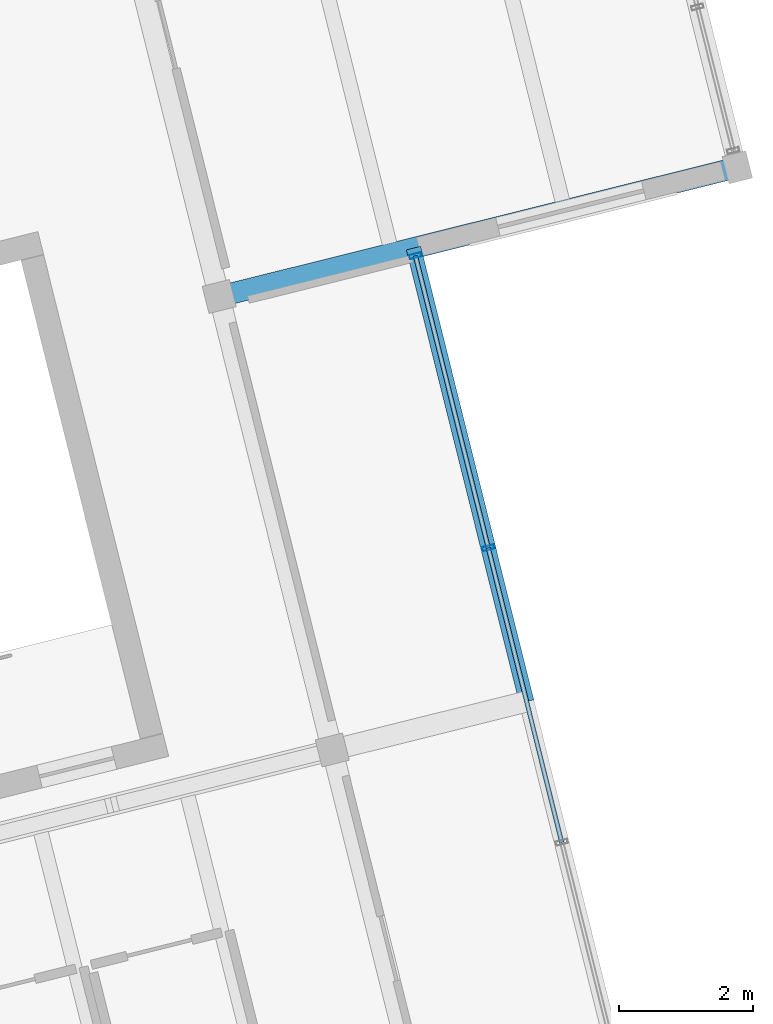
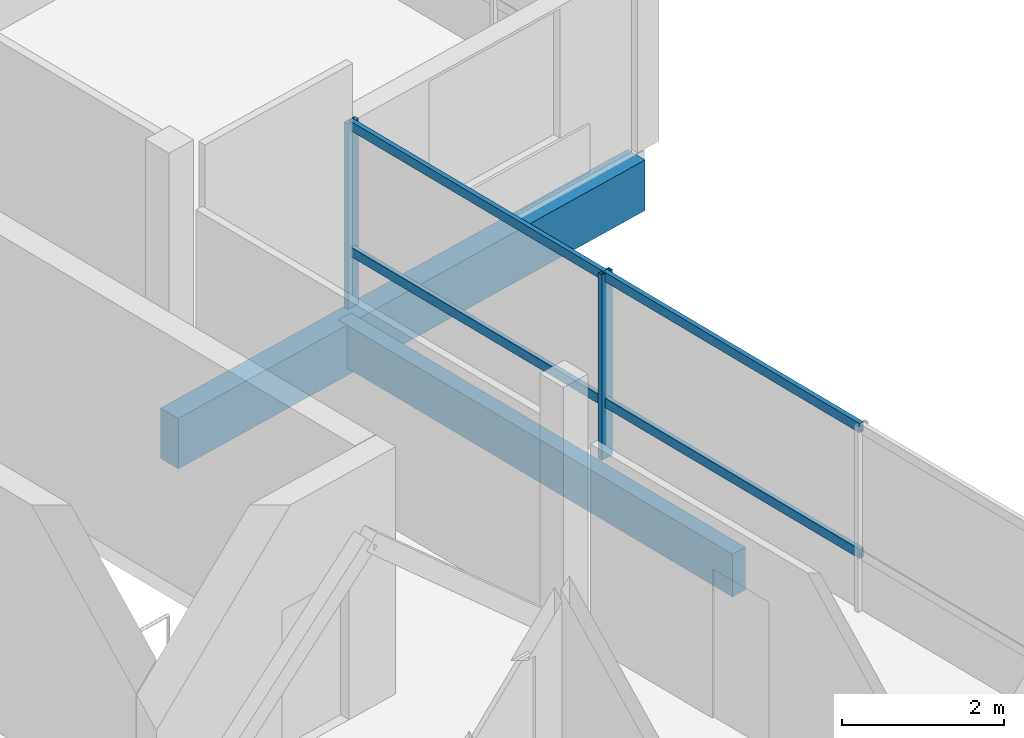
# One storey, part 14 of 28: 6 members, 2 beams, 1 element without a shape of its own.
"""IFC4 building model written with IfcOpenShell, lengths in metres."""

from ifc_helpers import new_model, si_unit, direction, frame, origin, origin_2d, place, context, subcontext, project, spatial, rectangle, hollow_rectangle, extrude, material, layer, layer_set, material_profile, profile_set, type_object, element, aggregate, save


model = new_model("IFC4")

# Units and contexts
model_context = context("Model", 3, precision=1e-05, world=origin(), true_north=direction((0.0, 1.0)))
body_context = subcontext(model_context, "Body", "Model", "MODEL_VIEW")
ifc_project = project(units=[si_unit("LENGTHUNIT", "METRE"), si_unit("AREAUNIT", "SQUARE_METRE"), si_unit("VOLUMEUNIT", "CUBIC_METRE"), si_unit("PLANEANGLEUNIT", "RADIAN"), si_unit("MASSUNIT", "GRAM", prefix="KILO")], contexts=[model_context])

# Site, building, storey
site_placement = place(None, origin())
site = spatial("IfcSite", under=ifc_project, at=site_placement, CompositionType="ELEMENT")
building_placement = place(site_placement, origin())
building = spatial("IfcBuilding", under=site, at=building_placement, Name="Meriwether Solvik Hall", CompositionType="ELEMENT")
storey_placement = place(building_placement, frame((0.0, 0.0, 30.0)))
storey = spatial("IfcBuildingStorey", under=building, at=storey_placement, Name="L07", CompositionType="ELEMENT", Elevation=30.0)

# Beams
ifc_material_1 = material(Name="Glulam Douglas-Fir 24F-V8 GL28h", Category="wood")
ifc_material_profile_1 = material_profile(ifc_material_1, rectangle(XDim=0.221923828125, YDim=0.64501953125, at=origin_2d()), Name="GLB-222X645")
ifc_profile_set_1 = profile_set([ifc_material_profile_1], Name="Glulam Douglas-Fir 24F-V8 GL28h")
beam_type_1 = type_object("IfcBeamType", Name="BM-GL-222X645", PredefinedType="SPANDREL", material=ifc_profile_set_1)
beam_1_placement = place(storey_placement, frame((104.79638671875, 57.23291015625, -0.54248046875), z_axis=(-0.241903692719, 0.970300264582, 0.0), x_axis=(-0.970300264582, -0.241903692719, 0.0)))
element("IfcBeam", 1, at=beam_1_placement, inside=storey, type_object=beam_type_1, Name="Shard Edge Spandrel 2 (L07)", PredefinedType="SPANDREL", context=body_context, shape_type="SweptSolid", body=[
    extrude(rectangle(XDim=0.221923828125, YDim=0.64501953125, at=origin_2d()), origin(), (0.0, 0.0, 1.0), 7.000244140625),
])
ifc_material_2 = material(Name="Glulam Douglas-Fir 24F-V8 GL28h", Category="wood")
ifc_material_profile_2 = material_profile(ifc_material_2, rectangle(XDim=0.31494140625, YDim=0.760009765625, at=origin_2d()), Name="GLB-315X760")
ifc_profile_set_2 = profile_set([ifc_material_profile_2], Name="Glulam Douglas-Fir 24F-V8 GL28h")
beam_type_2 = type_object("IfcBeamType", Name="BM-GL-315X760", PredefinedType="BEAM", material=ifc_profile_set_2)
beam_2_placement = place(storey_placement, frame((100.192138671875, 63.29931640625, -0.60009765625), z_axis=(0.970298475929, 0.241910867076, 0.0), x_axis=(-0.241910867076, 0.970298475929, 0.0)))
element("IfcBeam", 2, at=beam_2_placement, inside=storey, type_object=beam_type_2, Name="Tower Girder TC:T6-T7 (L07)", PredefinedType="BEAM", context=body_context, shape_type="SweptSolid", body=[
    extrude(rectangle(XDim=0.31494140625, YDim=0.760009765625, at=origin_2d()), origin(), (0.0, 0.0, 1.0), 8.0),
])

# Curtain wall, members
ifc_material_3 = material(Name="Thermally Broken Anodised Aluminium 6063-T6 and Low-E Glass", Category="aluminium")
ifc_layer = layer(ifc_material_3, 0.179931640625)
ifc_layer_set = layer_set([ifc_layer], Name="Thermally Broken Anodised Aluminium 6063-T6 and Low-E Glass")
curtain_wall_type = type_object("IfcCurtainWallType", Name="CW-UNIT-F", PredefinedType="USERDEFINED", material=ifc_layer_set)
curtain_wall_placement = place(storey_placement, origin())
curtain_wall = element("IfcCurtainWall", 3, at=curtain_wall_placement, inside=storey, type_object=curtain_wall_type, Name="Curtain Wall E1_B0 (L07)", ObjectType="UNITISED CURTAIN WALL", PredefinedType="USERDEFINED")
ifc_material_4 = material(Name="Anodised Aluminium 6063-T6", Category="aluminium")
ifc_material_profile_3 = material_profile(ifc_material_4, hollow_rectangle(XDim=0.06494140625, YDim=0.179931640625, WallThickness=0.00439453125, at=origin_2d()), Name="CWM-65X180")
ifc_profile_set_3 = profile_set([ifc_material_profile_3], Name="Anodised Aluminium 6063-T6")
member_type_1 = type_object("IfcMemberType", Name="CW-MUL-65X180", PredefinedType="MULLION", material=ifc_profile_set_3)
member_1_placement = place(storey_placement, frame((103.131591796875, 63.91064453125, 0.0), z_axis=(0.0, 0.0, 1.0), x_axis=(0.241921931502, -0.970295717325, 0.0)))
member_1 = element("IfcMember", 4, at=member_1_placement, type_object=member_type_1, Name="Curtain Wall Mullion 1", PredefinedType="MULLION", context=body_context, shape_type="SweptSolid", body=[
    extrude(hollow_rectangle(XDim=0.06494140625, YDim=0.179931640625, WallThickness=0.00439453125, at=origin_2d()), origin(), (0.0, 0.0, 1.0), 2.7900390625),
])
member_2_placement = place(storey_placement, frame((104.222412109375, 59.535888671875, 0.0), z_axis=(0.0, 0.0, 1.0), x_axis=(0.241921931502, -0.970295717325, 0.0)))
member_2 = element("IfcMember", 5, at=member_2_placement, type_object=member_type_1, Name="Curtain Wall Mullion 2", PredefinedType="MULLION", context=body_context, shape_type="SweptSolid", body=[
    extrude(hollow_rectangle(XDim=0.06494140625, YDim=0.179931640625, WallThickness=0.00439453125, at=origin_2d()), origin(), (0.0, 0.0, 1.0), 2.7900390625),
])
ifc_material_5 = material(Name="Anodised Aluminium 6063-T6", Category="aluminium")
ifc_material_profile_4 = material_profile(ifc_material_5, hollow_rectangle(XDim=0.06494140625, YDim=0.139892578125, WallThickness=0.00439453125, at=origin_2d()), Name="CWT-65X140")
ifc_profile_set_4 = profile_set([ifc_material_profile_4], Name="Anodised Aluminium 6063-T6")
member_type_2 = type_object("IfcMemberType", Name="CW-TRN-65X140", PredefinedType="USERDEFINED", material=ifc_profile_set_4)
member_3_placement = place(storey_placement, frame((103.131591796875, 63.91064453125, 0.8369140625), z_axis=(0.241936757011, -0.970292020789, 0.0), x_axis=(0.970292020789, 0.241936757011, 0.0)))
member_3 = element("IfcMember", 6, at=member_3_placement, type_object=member_type_2, Name="Curtain Wall Transom 1-sill", ObjectType="TRANSOM", PredefinedType="USERDEFINED", context=body_context, shape_type="SweptSolid", body=[
    extrude(hollow_rectangle(XDim=0.06494140625, YDim=0.139892578125, WallThickness=0.00439453125, at=origin_2d()), origin(), (0.0, 0.0, 1.0), 4.5087890625),
])
member_4_placement = place(storey_placement, frame((103.131591796875, 63.91064453125, 2.72998046875), z_axis=(0.241936757011, -0.970292020789, 0.0), x_axis=(0.970292020789, 0.241936757011, 0.0)))
member_4 = element("IfcMember", 7, at=member_4_placement, type_object=member_type_2, Name="Curtain Wall Transom 1-head", ObjectType="TRANSOM", PredefinedType="USERDEFINED", context=body_context, shape_type="SweptSolid", body=[
    extrude(hollow_rectangle(XDim=0.06494140625, YDim=0.139892578125, WallThickness=0.00439453125, at=origin_2d()), origin(), (0.0, 0.0, 1.0), 4.5087890625),
])
member_5_placement = place(storey_placement, frame((104.222412109375, 59.535888671875, 0.8369140625), z_axis=(0.241903847176, -0.970300226075, 0.0), x_axis=(0.970300226075, 0.241903847176, 0.0)))
member_5 = element("IfcMember", 8, at=member_5_placement, type_object=member_type_2, Name="Curtain Wall Transom 2-sill", ObjectType="TRANSOM", PredefinedType="USERDEFINED", context=body_context, shape_type="SweptSolid", body=[
    extrude(hollow_rectangle(XDim=0.06494140625, YDim=0.139892578125, WallThickness=0.00439453125, at=origin_2d()), origin(), (0.0, 0.0, 1.0), 4.546630859375),
])
member_6_placement = place(storey_placement, frame((104.222412109375, 59.535888671875, 2.72998046875), z_axis=(0.241903847176, -0.970300226075, 0.0), x_axis=(0.970300226075, 0.241903847176, 0.0)))
member_6 = element("IfcMember", 9, at=member_6_placement, type_object=member_type_2, Name="Curtain Wall Transom 2-head", ObjectType="TRANSOM", PredefinedType="USERDEFINED", context=body_context, shape_type="SweptSolid", body=[
    extrude(hollow_rectangle(XDim=0.06494140625, YDim=0.139892578125, WallThickness=0.00439453125, at=origin_2d()), origin(), (0.0, 0.0, 1.0), 4.546630859375),
])
aggregate(curtain_wall, [member_1, member_2, member_3, member_4, member_5, member_6])

save(model, "model.ifc")
